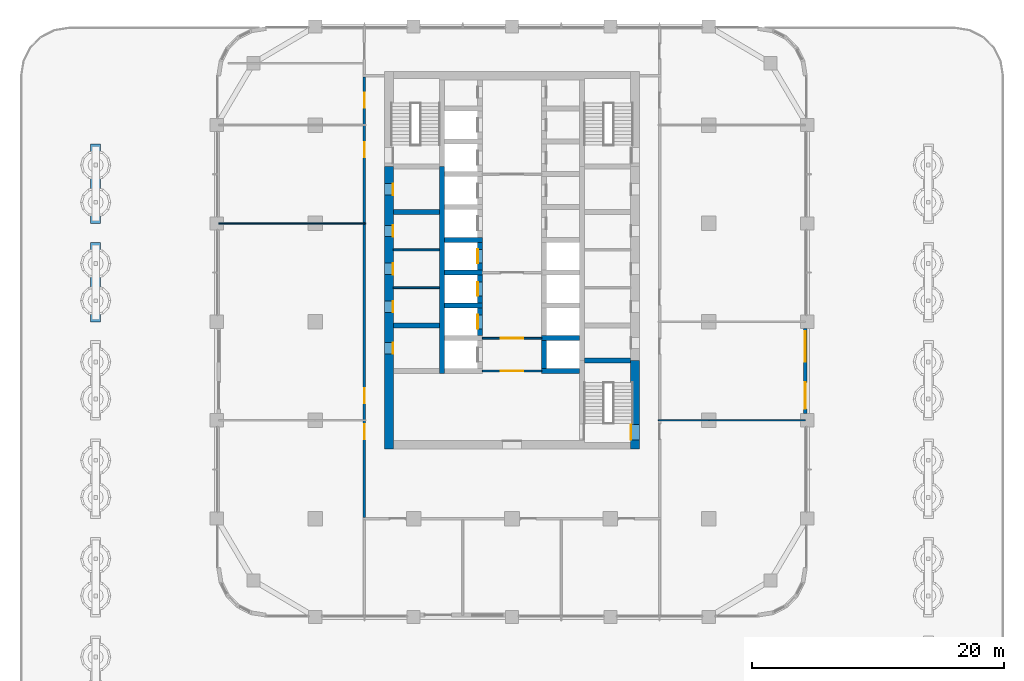
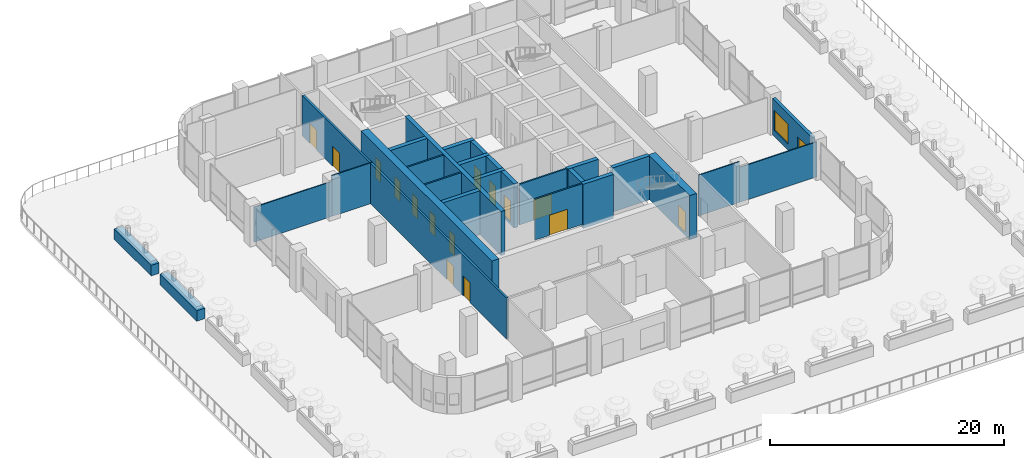
# One storey, part 13 of 31: 27 walls, 16 doors, 1 window, 17 openings.
"""IFC4 building model written with IfcOpenShell, lengths in metres."""

from ifc_helpers import new_model, si_unit, direction, frame, frame_2d, origin, place, context, subcontext, project, spatial, rectangle, extrude, material, layer, layer_set, type_object, element, fill, save


model = new_model("IFC4")

# Units and contexts
model_context = context("Model", 3, precision=1e-05, world=origin(), true_north=direction((0.0, 1.0)))
body_context = subcontext(model_context, "Body", "Model", "MODEL_VIEW")
ifc_project = project(units=[si_unit("LENGTHUNIT", "METRE"), si_unit("AREAUNIT", "SQUARE_METRE"), si_unit("VOLUMEUNIT", "CUBIC_METRE"), si_unit("PLANEANGLEUNIT", "RADIAN"), si_unit("MASSUNIT", "GRAM", prefix="KILO")], contexts=[model_context])

# Site, building, storey
site_placement = place(None, origin())
site = spatial("IfcSite", under=ifc_project, at=site_placement, CompositionType="ELEMENT")
building_placement = place(site_placement, origin())
building = spatial("IfcBuilding", under=site, at=building_placement, Name="Ludao Terraces", CompositionType="ELEMENT")
storey_placement = place(building_placement, frame((0.0, 0.0, 15.0)))
storey = spatial("IfcBuildingStorey", under=building, at=storey_placement, Name="L03", CompositionType="ELEMENT", Elevation=15.0)

# Wall, openings, doors
ifc_material_1 = material(Name="Concrete C70", Category="concrete")
ifc_layer_1 = layer(ifc_material_1, 0.699951171875)
ifc_layer_set_1 = layer_set([ifc_layer_1], Name="Core wall 700 C70")
wall_type_1 = type_object("IfcWallType", Name="Core wall 700 C70", PredefinedType="SOLIDWALL", material=ifc_layer_set_1)
wall_1_placement = place(storey_placement, frame((75.25, 54.89990234375, -0.35009765625), z_axis=(0.0, 0.0, 1.0), x_axis=(0.0, 1.0, 0.0)))
wall_1 = element("IfcWall", 1, at=wall_1_placement, inside=storey, type_object=wall_type_1, Name="Core wall L03 outer-W", PredefinedType="SOLIDWALL", context=body_context, shape_type="SweptSolid", body=[
    extrude(rectangle(XDim=22.400146484375, YDim=0.699951171875, at=frame_2d((11.2001953125, 0.0))), origin(), (0.0, 0.0, 1.0), 4.60009765625),
])
opening_1_placement = place(wall_1_placement, frame((7.550048828125, 0.0, 0.35009765625)))
opening_1 = element("IfcOpeningElement", 2, at=opening_1_placement, cuts=wall_1, Name="Opening A1-012", PredefinedType="OPENING", context=body_context, shape_type="SweptSolid", body=[
    extrude(rectangle(XDim=0.89990234375, YDim=2.10009765625, at=frame_2d((0.449951171875, 1.050048828125))), frame((0.0, 0.35986328125, 0.0), z_axis=(0.0, -1.0, 0.0), x_axis=(1.0, 0.0, 0.0)), (0.0, 0.0, 1.0), 0.719970703125),
])
opening_2_placement = place(wall_1_placement, frame((10.85009765625, 0.0, 0.35009765625)))
opening_2 = element("IfcOpeningElement", 3, at=opening_2_placement, cuts=wall_1, Name="Opening A1-017", PredefinedType="OPENING", context=body_context, shape_type="SweptSolid", body=[
    extrude(rectangle(XDim=0.89990234375, YDim=2.10009765625, at=frame_2d((0.449951171875, 1.050048828125))), frame((0.0, 0.35986328125, 0.0), z_axis=(0.0, -1.0, 0.0), x_axis=(1.0, 0.0, 0.0)), (0.0, 0.0, 1.0), 0.719970703125),
])
opening_3_placement = place(wall_1_placement, frame((13.85009765625, 0.0, 0.35009765625)))
opening_3 = element("IfcOpeningElement", 4, at=opening_3_placement, cuts=wall_1, Name="Opening A1-022", PredefinedType="OPENING", context=body_context, shape_type="SweptSolid", body=[
    extrude(rectangle(XDim=0.89990234375, YDim=2.10009765625, at=frame_2d((0.449951171875, 1.050048828125))), frame((0.0, 0.35986328125, 0.0), z_axis=(0.0, -1.0, 0.0), x_axis=(1.0, 0.0, 0.0)), (0.0, 0.0, 1.0), 0.719970703125),
])
opening_4_placement = place(wall_1_placement, frame((16.85009765625, 0.0, 0.35009765625)))
opening_4 = element("IfcOpeningElement", 5, at=opening_4_placement, cuts=wall_1, Name="Opening A1-025", PredefinedType="OPENING", context=body_context, shape_type="SweptSolid", body=[
    extrude(rectangle(XDim=0.89990234375, YDim=2.10009765625, at=frame_2d((0.449951171875, 1.050048828125))), frame((0.0, 0.35986328125, 0.0), z_axis=(0.0, -1.0, 0.0), x_axis=(1.0, 0.0, 0.0)), (0.0, 0.0, 1.0), 0.719970703125),
])
opening_5_placement = place(wall_1_placement, frame((20.14990234375, 0.0, 0.35009765625)))
opening_5 = element("IfcOpeningElement", 6, at=opening_5_placement, cuts=wall_1, Name="Opening A1-031", PredefinedType="OPENING", context=body_context, shape_type="SweptSolid", body=[
    extrude(rectangle(XDim=0.89990234375, YDim=2.10009765625, at=frame_2d((0.449951171875, 1.050048828125))), frame((0.0, 0.35986328125, 0.0), z_axis=(0.0, -1.0, 0.0), x_axis=(1.0, 0.0, 0.0)), (0.0, 0.0, 1.0), 0.719970703125),
])
ifc_material_2 = material(Name="Steel Q235", Category="steel")
door_type_1 = type_object("IfcDoorType", Name="INT Riser door 900", OperationType="SINGLE_SWING_LEFT", PredefinedType="DOOR", material=ifc_material_2)
door_1_placement = place(opening_1_placement, origin())
door_1 = element("IfcDoor", 7, at=door_1_placement, inside=storey, type_object=door_type_1, Name="DOOR 012", OperationType="SINGLE_SWING_LEFT", OverallHeight=2.10009765625, OverallWidth=0.89990234375, PredefinedType="DOOR", context=body_context, shape_type="SweptSolid", body=[
    extrude(rectangle(XDim=0.89990234375, YDim=2.10009765625, at=frame_2d((0.449951171875, 1.050048828125))), frame((0.0, -0.28515625, 0.0), z_axis=(0.0, -1.0, 0.0), x_axis=(1.0, 0.0, 0.0)), (0.0, 0.0, 1.0), 0.050048828125),
])
fill(opening_1, door_1)
door_2_placement = place(opening_5_placement, origin())
door_2 = element("IfcDoor", 8, at=door_2_placement, inside=storey, type_object=door_type_1, Name="DOOR 031", OperationType="SINGLE_SWING_RIGHT", OverallHeight=2.10009765625, OverallWidth=0.89990234375, PredefinedType="DOOR", context=body_context, shape_type="SweptSolid", body=[
    extrude(rectangle(XDim=0.89990234375, YDim=2.10009765625, at=frame_2d((0.449951171875, 1.050048828125))), frame((0.0, -0.28515625, 0.0), z_axis=(0.0, -1.0, 0.0), x_axis=(1.0, 0.0, 0.0)), (0.0, 0.0, 1.0), 0.050048828125),
])
fill(opening_5, door_2)
ifc_material_3 = material(Name="Timber door leaf", Category="wood")
door_type_2 = type_object("IfcDoorType", Name="INT Room door 900", OperationType="SINGLE_SWING_LEFT", PredefinedType="DOOR", material=ifc_material_3)
door_3_placement = place(opening_2_placement, origin())
door_3 = element("IfcDoor", 9, at=door_3_placement, inside=storey, type_object=door_type_2, Name="DOOR 017", OperationType="SINGLE_SWING_RIGHT", OverallHeight=2.10009765625, OverallWidth=0.89990234375, PredefinedType="DOOR", context=body_context, shape_type="SweptSolid", body=[
    extrude(rectangle(XDim=0.89990234375, YDim=2.10009765625, at=frame_2d((0.449951171875, 1.050048828125))), frame((0.0, -0.28515625, 0.0), z_axis=(0.0, -1.0, 0.0), x_axis=(1.0, 0.0, 0.0)), (0.0, 0.0, 1.0), 0.050048828125),
])
fill(opening_2, door_3)
door_4_placement = place(opening_3_placement, origin())
door_4 = element("IfcDoor", 10, at=door_4_placement, inside=storey, type_object=door_type_2, Name="DOOR 022", OperationType="SINGLE_SWING_RIGHT", OverallHeight=2.10009765625, OverallWidth=0.89990234375, PredefinedType="DOOR", context=body_context, shape_type="SweptSolid", body=[
    extrude(rectangle(XDim=0.89990234375, YDim=2.10009765625, at=frame_2d((0.449951171875, 1.050048828125))), frame((0.0, -0.28515625, 0.0), z_axis=(0.0, -1.0, 0.0), x_axis=(1.0, 0.0, 0.0)), (0.0, 0.0, 1.0), 0.050048828125),
])
fill(opening_3, door_4)
door_5_placement = place(opening_4_placement, origin())
door_5 = element("IfcDoor", 11, at=door_5_placement, inside=storey, type_object=door_type_2, Name="DOOR 025", OperationType="SINGLE_SWING_LEFT", OverallHeight=2.10009765625, OverallWidth=0.89990234375, PredefinedType="DOOR", context=body_context, shape_type="SweptSolid", body=[
    extrude(rectangle(XDim=0.89990234375, YDim=2.10009765625, at=frame_2d((0.449951171875, 1.050048828125))), frame((0.0, -0.28515625, 0.0), z_axis=(0.0, -1.0, 0.0), x_axis=(1.0, 0.0, 0.0)), (0.0, 0.0, 1.0), 0.050048828125),
])
fill(opening_4, door_5)

# Wall, opening, door
wall_2_placement = place(storey_placement, frame((94.75, 54.89990234375, -0.35009765625), z_axis=(0.0, 0.0, 1.0), x_axis=(0.0, 1.0, 0.0)))
wall_2 = element("IfcWall", 12, at=wall_2_placement, inside=storey, type_object=wall_type_1, Name="Core wall L03 outer-E-S3", PredefinedType="SOLIDWALL", context=body_context, shape_type="SweptSolid", body=[
    extrude(rectangle(XDim=7.050048828125, YDim=0.699951171875, at=frame_2d((3.52490234375, 0.0))), origin(), (0.0, 0.0, 1.0), 4.60009765625),
])
opening_6_placement = place(wall_2_placement, frame((0.75, 0.0, 0.35009765625)))
opening_6 = element("IfcOpeningElement", 13, at=opening_6_placement, cuts=wall_2, Name="Opening A1-006", PredefinedType="OPENING", context=body_context, shape_type="SweptSolid", body=[
    extrude(rectangle(XDim=1.199951171875, YDim=2.10009765625, at=frame_2d((0.60009765625, 1.050048828125))), frame((0.0, 0.35986328125, 0.0), z_axis=(0.0, -1.0, 0.0), x_axis=(1.0, 0.0, 0.0)), (0.0, 0.0, 1.0), 0.719970703125),
])
door_type_3 = type_object("IfcDoorType", Name="INT Stair door 1200", OperationType="DOUBLE_DOOR_SINGLE_SWING", PredefinedType="DOOR", material=ifc_material_2)
door_6_placement = place(opening_6_placement, origin())
door_6 = element("IfcDoor", 14, at=door_6_placement, inside=storey, type_object=door_type_3, Name="DOOR 006", OperationType="DOUBLE_DOOR_SINGLE_SWING", OverallHeight=2.10009765625, OverallWidth=1.199951171875, PredefinedType="DOOR", context=body_context, shape_type="SweptSolid", body=[
    extrude(rectangle(XDim=1.199951171875, YDim=2.10009765625, at=frame_2d((0.60009765625, 1.050048828125))), frame((0.0, 0.3349609375, 0.0), z_axis=(0.0, -1.0, 0.0), x_axis=(1.0, 0.0, 0.0)), (0.0, 0.0, 1.0), 0.050048828125),
])
fill(opening_6, door_6)

# Wall, openings, door, window
ifc_material_4 = material(Name="Granite cladding", Category="masonry")
ifc_layer_2 = layer(ifc_material_4, 0.0400390625, Category="stone")
ifc_material_5 = material(Name="Mineral wool")
ifc_layer_3 = layer(ifc_material_5, 0.06005859375)
ifc_material_6 = material(Name="Concrete C40", Category="concrete")
ifc_layer_4 = layer(ifc_material_6, 0.199951171875, Category="concrete")
ifc_layer_set_2 = layer_set([ifc_layer_2, ifc_layer_3, ifc_layer_4], Name="ENV Stone-clad wall 300")
wall_type_2 = type_object("IfcWallType", Name="ENV Stone-clad wall 300", PredefinedType="SOLIDWALL", material=ifc_layer_set_2)
wall_3_placement = place(storey_placement, frame((108.25, 57.72509765625, 0.0), z_axis=(0.0, 0.0, 1.0), x_axis=(0.0, 1.0, 0.0)))
wall_3 = element("IfcWall", 15, at=wall_3_placement, inside=storey, type_object=wall_type_2, Name="EW-L03-E3", PredefinedType="SOLIDWALL", context=body_context, shape_type="SweptSolid", body=[
    extrude(rectangle(XDim=6.75, YDim=0.300048828125, at=frame_2d((3.375, 0.0))), origin(), (0.0, 0.0, 1.0), 3.800048828125),
])
opening_7_placement = place(wall_3_placement, frame((0.375, 0.0, 0.0)))
opening_7 = element("IfcOpeningElement", 16, at=opening_7_placement, cuts=wall_3, Name="Opening TD", PredefinedType="OPENING", context=body_context, shape_type="SweptSolid", body=[
    extrude(rectangle(XDim=2.10009765625, YDim=2.39990234375, at=frame_2d((1.050048828125, 1.199951171875))), frame((0.0, 0.16015625, 0.0), z_axis=(0.0, -1.0, 0.0), x_axis=(1.0, 0.0, 0.0)), (0.0, 0.0, 1.0), 0.320068359375),
])
opening_8_placement = place(wall_3_placement, frame((4.125, 0.0, 0.60009765625)))
opening_8 = element("IfcOpeningElement", 17, at=opening_8_placement, cuts=wall_3, Name="Opening W4", PredefinedType="OPENING", context=body_context, shape_type="SweptSolid", body=[
    extrude(rectangle(XDim=2.39990234375, YDim=2.10009765625, at=frame_2d((1.199951171875, 1.050048828125))), frame((0.0, 0.16015625, 0.0), z_axis=(0.0, -1.0, 0.0), x_axis=(1.0, 0.0, 0.0)), (0.0, 0.0, 1.0), 0.320068359375),
])
ifc_material_7 = material(Name="Aluminium glazed door", Category="aluminium")
ifc_layer_5 = layer(ifc_material_7, 0.06005859375)
ifc_layer_set_3 = layer_set([ifc_layer_5], Name="ENV Terrace door TD 2100x2400")
door_type_4 = type_object("IfcDoorType", Name="ENV Terrace door TD 2100x2400", OperationType="DOUBLE_DOOR_SINGLE_SWING", PredefinedType="DOOR", material=ifc_layer_set_3)
door_7_placement = place(opening_7_placement, frame((2.10009765625, 0.0, 0.0), z_axis=(0.0, 0.0, 1.0), x_axis=(-1.0, 0.0, 0.0)))
door_7 = element("IfcDoor", 18, at=door_7_placement, inside=storey, type_object=door_type_4, Name="BD-L03-E3-1", OperationType="DOUBLE_DOOR_SINGLE_SWING", OverallHeight=2.39990234375, OverallWidth=2.10009765625, PredefinedType="DOOR", context=body_context, shape_type="SweptSolid", body=[
    extrude(rectangle(XDim=2.10009765625, YDim=2.39990234375, at=frame_2d((1.050048828125, 1.199951171875))), frame((0.0, 0.02490234375, 0.0), z_axis=(0.0, -1.0, 0.0), x_axis=(1.0, 0.0, 0.0)), (0.0, 0.0, 1.0), 0.050048828125),
])
fill(opening_7, door_7)
ifc_material_8 = material(Name="Clear glass in aluminium frame", Category="aluminium")
ifc_layer_6 = layer(ifc_material_8, 0.06005859375)
ifc_layer_set_4 = layer_set([ifc_layer_6], Name="ENV Window W4 2400x2100")
window_type = type_object("IfcWindowType", Name="ENV Window W4 2400x2100", PartitioningType="SINGLE_PANEL", PredefinedType="WINDOW", material=ifc_layer_set_4)
window_placement = place(opening_8_placement, origin())
window = element("IfcWindow", 19, at=window_placement, inside=storey, type_object=window_type, Name="W-L03-E3-2", OverallHeight=2.10009765625, OverallWidth=2.39990234375, PartitioningType="SINGLE_PANEL", PredefinedType="WINDOW", context=body_context, shape_type="SweptSolid", body=[
    extrude(rectangle(XDim=2.39990234375, YDim=2.10009765625, at=frame_2d((1.199951171875, 1.050048828125))), frame((0.0, 0.030029296875, 0.0), z_axis=(0.0, -1.0, 0.0), x_axis=(1.0, 0.0, 0.0)), (0.0, 0.0, 1.0), 0.06005859375),
])
fill(opening_8, window)

# Walls
ifc_layer_7 = layer(ifc_material_6, 0.800048828125)
ifc_layer_set_5 = layer_set([ifc_layer_7], Name="ENV Terrace planter 800")
wall_type_3 = type_object("IfcWallType", Name="ENV Terrace planter 800", PredefinedType="USERDEFINED", material=ifc_layer_set_5)
for number, where, z_axis, x_axis, name in (
    (20, (52.0, 65.0, 0.0), (0.0, 0.0, 1.0), (0.0, 1.0, 0.0), "PL-L03-T13"),
    (21, (52.0, 72.800048828125, 0.0), (0.0, 0.0, 1.0), (0.0, 1.0, 0.0), "PL-L03-T14"),
):
    element("IfcWall", number, at=place(storey_placement, frame(where, z_axis=z_axis, x_axis=x_axis)), inside=storey, type_object=wall_type_3, Name=name, ObjectType="PLANTER", PredefinedType="USERDEFINED", context=body_context, shape_type="SweptSolid", body=[
        extrude(rectangle(XDim=6.300048828125, YDim=0.800048828125, at=frame_2d((3.14990234375, 0.0))), origin(), (0.0, 0.0, 1.0), 1.10009765625),
    ])

# Wall, opening, door
ifc_material_9 = material(Name="Fire-rated gypsum plasterboard", Category="gypsum")
ifc_layer_8 = layer(ifc_material_9, 0.012451171875, Category="gypsum")
ifc_layer_9 = layer(ifc_material_5, 0.10009765625, Name="insulation")
ifc_layer_10 = layer(ifc_material_2, 0.02490234375, Name="stud")
ifc_layer_11 = layer(ifc_material_9, 0.012451171875, Category="gypsum")
ifc_layer_set_6 = layer_set([ifc_layer_8, ifc_layer_9, ifc_layer_10, ifc_layer_11], Name="INT Core partition 150")
wall_type_4 = type_object("IfcWallType", Name="INT Core partition 150", PredefinedType="PARTITIONING", material=ifc_layer_set_6)
wall_4_placement = place(storey_placement, frame((82.650146484375, 61.10009765625, 0.0), z_axis=(0.0, 0.0, 1.0), x_axis=(1.0, 0.0, 0.0)))
wall_4 = element("IfcWall", 22, at=wall_4_placement, inside=storey, type_object=wall_type_4, Name="PW-L03-PW003", PredefinedType="PARTITIONING", context=body_context, shape_type="SweptSolid", body=[
    extrude(rectangle(XDim=4.699951171875, YDim=0.14990234375, at=frame_2d((2.35009765625, 0.0))), origin(), (0.0, 0.0, 1.0), 4.25),
])
opening_9_placement = place(wall_4_placement, frame((1.449951171875, 0.0, 0.0)))
opening_9 = element("IfcOpeningElement", 23, at=opening_9_placement, cuts=wall_4, Name="Opening A1-010", PredefinedType="OPENING", context=body_context, shape_type="SweptSolid", body=[
    extrude(rectangle(XDim=1.800048828125, YDim=2.10009765625, at=frame_2d((0.89990234375, 1.050048828125))), frame((0.0, 0.0849609375, 0.0), z_axis=(0.0, -1.0, 0.0), x_axis=(1.0, 0.0, 0.0)), (0.0, 0.0, 1.0), 0.169921875),
])
door_type_5 = type_object("IfcDoorType", Name="INT Fire lobby door 1800", OperationType="DOUBLE_DOOR_SINGLE_SWING", PredefinedType="DOOR", material=ifc_material_2)
door_8_placement = place(opening_9_placement, origin())
door_8 = element("IfcDoor", 24, at=door_8_placement, inside=storey, type_object=door_type_5, Name="DOOR 010", OperationType="DOUBLE_DOOR_SINGLE_SWING", OverallHeight=2.10009765625, OverallWidth=1.800048828125, PredefinedType="DOOR", context=body_context, shape_type="SweptSolid", body=[
    extrude(rectangle(XDim=1.800048828125, YDim=2.10009765625, at=frame_2d((0.89990234375, 1.050048828125))), frame((0.0, 0.02490234375, 0.0), z_axis=(0.0, -1.0, 0.0), x_axis=(1.0, 0.0, 0.0)), (0.0, 0.0, 1.0), 0.050048828125),
])
fill(opening_9, door_8)

wall_5_placement = place(storey_placement, frame((82.650146484375, 63.699951171875, 0.0), z_axis=(0.0, 0.0, 1.0), x_axis=(1.0, 0.0, 0.0)))
wall_5 = element("IfcWall", 25, at=wall_5_placement, inside=storey, type_object=wall_type_4, Name="PW-L03-PW004", PredefinedType="PARTITIONING", context=body_context, shape_type="SweptSolid", body=[
    extrude(rectangle(XDim=4.699951171875, YDim=0.14990234375, at=frame_2d((2.35009765625, 0.0))), origin(), (0.0, 0.0, 1.0), 4.25),
])
opening_10_placement = place(wall_5_placement, frame((1.449951171875, 0.0, 0.0)))
opening_10 = element("IfcOpeningElement", 26, at=opening_10_placement, cuts=wall_5, Name="Opening A1-015", PredefinedType="OPENING", context=body_context, shape_type="SweptSolid", body=[
    extrude(rectangle(XDim=1.800048828125, YDim=2.10009765625, at=frame_2d((0.89990234375, 1.050048828125))), frame((0.0, 0.0849609375, 0.0), z_axis=(0.0, -1.0, 0.0), x_axis=(1.0, 0.0, 0.0)), (0.0, 0.0, 1.0), 0.169921875),
])
door_9_placement = place(opening_10_placement, origin())
door_9 = element("IfcDoor", 27, at=door_9_placement, inside=storey, type_object=door_type_5, Name="DOOR 015", OperationType="DOUBLE_DOOR_SINGLE_SWING", OverallHeight=2.10009765625, OverallWidth=1.800048828125, PredefinedType="DOOR", context=body_context, shape_type="SweptSolid", body=[
    extrude(rectangle(XDim=1.800048828125, YDim=2.10009765625, at=frame_2d((0.89990234375, 1.050048828125))), frame((0.0, 0.02490234375, 0.0), z_axis=(0.0, -1.0, 0.0), x_axis=(1.0, 0.0, 0.0)), (0.0, 0.0, 1.0), 0.050048828125),
])
fill(opening_10, door_9)

# Walls
for number, where, z_axis, x_axis, name in (
    (28, (75.60009765625, 67.699951171875, 0.0), (0.0, 0.0, 1.0), (1.0, 0.0, 0.0), "PW-L03-PW006"),
    (29, (75.60009765625, 70.699951171875, 0.0), (0.0, 0.0, 1.0), (1.0, 0.0, 0.0), "PW-L03-PW009"),
):
    element("IfcWall", number, at=place(storey_placement, frame(where, z_axis=z_axis, x_axis=x_axis)), inside=storey, type_object=wall_type_4, Name=name, PredefinedType="PARTITIONING", context=body_context, shape_type="SweptSolid", body=[
        extrude(rectangle(XDim=3.64990234375, YDim=0.14990234375, at=frame_2d((1.824951171875, 0.0))), origin(), (0.0, 0.0, 1.0), 4.25),
    ])

# Wall, openings, doors
ifc_material_10 = material(Name="Autoclaved aerated concrete block B06 A3.5", Category="concrete")
ifc_layer_12 = layer(ifc_material_10, 0.199951171875)
ifc_layer_set_7 = layer_set([ifc_layer_12], Name="INT Entrance wall 200")
wall_type_5 = type_object("IfcWallType", Name="INT Entrance wall 200", PredefinedType="PARTITIONING", material=ifc_layer_set_7)
wall_6_placement = place(storey_placement, frame((73.300048828125, 49.5, 0.0), z_axis=(0.0, 0.0, 1.0), x_axis=(0.0, 1.0, 0.0)))
wall_6 = element("IfcWall", 30, at=wall_6_placement, inside=storey, type_object=wall_type_5, Name="PW-L03-PW019", PredefinedType="PARTITIONING", context=body_context, shape_type="SweptSolid", body=[
    extrude(rectangle(XDim=34.900146484375, YDim=0.199951171875, at=frame_2d((17.4501953125, 0.0))), origin(), (0.0, 0.0, 1.0), 4.25),
])
opening_11_placement = place(wall_6_placement, frame((6.2001953125, 0.0, 0.0)))
opening_11 = element("IfcOpeningElement", 31, at=opening_11_placement, cuts=wall_6, Name="Opening A1-007", PredefinedType="OPENING", context=body_context, shape_type="SweptSolid", body=[
    extrude(rectangle(XDim=1.199951171875, YDim=2.10009765625, at=frame_2d((0.60009765625, 1.050048828125))), frame((0.0, 0.10986328125, 0.0), z_axis=(0.0, -1.0, 0.0), x_axis=(1.0, 0.0, 0.0)), (0.0, 0.0, 1.0), 0.219970703125),
])
opening_12_placement = place(wall_6_placement, frame((9.050048828125, 0.0, 0.0)))
opening_12 = element("IfcOpeningElement", 32, at=opening_12_placement, cuts=wall_6, Name="Opening A1-009", PredefinedType="OPENING", context=body_context, shape_type="SweptSolid", body=[
    extrude(rectangle(XDim=1.199951171875, YDim=2.10009765625, at=frame_2d((0.60009765625, 1.050048828125))), frame((0.0, 0.10986328125, 0.0), z_axis=(0.0, -1.0, 0.0), x_axis=(1.0, 0.0, 0.0)), (0.0, 0.0, 1.0), 0.219970703125),
])
opening_13_placement = place(wall_6_placement, frame((28.550048828125, 0.0, 0.0)))
opening_13 = element("IfcOpeningElement", 33, at=opening_13_placement, cuts=wall_6, Name="Opening A1-038", PredefinedType="OPENING", context=body_context, shape_type="SweptSolid", body=[
    extrude(rectangle(XDim=1.199951171875, YDim=2.10009765625, at=frame_2d((0.60009765625, 1.050048828125))), frame((0.0, 0.10986328125, 0.0), z_axis=(0.0, -1.0, 0.0), x_axis=(1.0, 0.0, 0.0)), (0.0, 0.0, 1.0), 0.219970703125),
])
opening_14_placement = place(wall_6_placement, frame((32.4501953125, 0.0, 0.0)))
opening_14 = element("IfcOpeningElement", 34, at=opening_14_placement, cuts=wall_6, Name="Opening A1-041", PredefinedType="OPENING", context=body_context, shape_type="SweptSolid", body=[
    extrude(rectangle(XDim=1.199951171875, YDim=2.10009765625, at=frame_2d((0.60009765625, 1.050048828125))), frame((0.0, 0.10986328125, 0.0), z_axis=(0.0, -1.0, 0.0), x_axis=(1.0, 0.0, 0.0)), (0.0, 0.0, 1.0), 0.219970703125),
])
door_type_6 = type_object("IfcDoorType", Name="INT Double door 1200", OperationType="DOUBLE_DOOR_SINGLE_SWING", PredefinedType="DOOR", material=ifc_material_3)
door_10_placement = place(opening_11_placement, origin())
door_10 = element("IfcDoor", 35, at=door_10_placement, inside=storey, type_object=door_type_6, Name="DOOR 007", OperationType="DOUBLE_DOOR_SINGLE_SWING", OverallHeight=2.10009765625, OverallWidth=1.199951171875, PredefinedType="DOOR", context=body_context, shape_type="SweptSolid", body=[
    extrude(rectangle(XDim=1.199951171875, YDim=2.10009765625, at=frame_2d((0.60009765625, 1.050048828125))), frame((0.0, 0.02490234375, 0.0), z_axis=(0.0, -1.0, 0.0), x_axis=(1.0, 0.0, 0.0)), (0.0, 0.0, 1.0), 0.050048828125),
])
fill(opening_11, door_10)
door_11_placement = place(opening_12_placement, origin())
door_11 = element("IfcDoor", 36, at=door_11_placement, inside=storey, type_object=door_type_6, Name="DOOR 009", OperationType="DOUBLE_DOOR_SINGLE_SWING", OverallHeight=2.10009765625, OverallWidth=1.199951171875, PredefinedType="DOOR", context=body_context, shape_type="SweptSolid", body=[
    extrude(rectangle(XDim=1.199951171875, YDim=2.10009765625, at=frame_2d((0.60009765625, 1.050048828125))), frame((0.0, 0.02490234375, 0.0), z_axis=(0.0, -1.0, 0.0), x_axis=(1.0, 0.0, 0.0)), (0.0, 0.0, 1.0), 0.050048828125),
])
fill(opening_12, door_11)
door_12_placement = place(opening_13_placement, origin())
door_12 = element("IfcDoor", 37, at=door_12_placement, inside=storey, type_object=door_type_6, Name="DOOR 038", OperationType="DOUBLE_DOOR_SINGLE_SWING", OverallHeight=2.10009765625, OverallWidth=1.199951171875, PredefinedType="DOOR", context=body_context, shape_type="SweptSolid", body=[
    extrude(rectangle(XDim=1.199951171875, YDim=2.10009765625, at=frame_2d((0.60009765625, 1.050048828125))), frame((0.0, 0.02490234375, 0.0), z_axis=(0.0, -1.0, 0.0), x_axis=(1.0, 0.0, 0.0)), (0.0, 0.0, 1.0), 0.050048828125),
])
fill(opening_13, door_12)
door_13_placement = place(opening_14_placement, origin())
door_13 = element("IfcDoor", 38, at=door_13_placement, inside=storey, type_object=door_type_6, Name="DOOR 041", OperationType="DOUBLE_DOOR_SINGLE_SWING", OverallHeight=2.10009765625, OverallWidth=1.199951171875, PredefinedType="DOOR", context=body_context, shape_type="SweptSolid", body=[
    extrude(rectangle(XDim=1.199951171875, YDim=2.10009765625, at=frame_2d((0.60009765625, 1.050048828125))), frame((0.0, 0.02490234375, 0.0), z_axis=(0.0, -1.0, 0.0), x_axis=(1.0, 0.0, 0.0)), (0.0, 0.0, 1.0), 0.050048828125),
])
fill(opening_14, door_13)

# Walls
ifc_material_11 = material(Name="Gypsum plasterboard", Category="gypsum")
ifc_layer_13 = layer(ifc_material_11, 0.012451171875, Category="gypsum")
ifc_layer_14 = layer(ifc_material_5, 0.06005859375, Name="insulation")
ifc_layer_15 = layer(ifc_material_2, 0.014892578125, Name="stud")
ifc_layer_16 = layer(ifc_material_11, 0.012451171875, Category="gypsum")
ifc_layer_set_8 = layer_set([ifc_layer_13, ifc_layer_14, ifc_layer_15, ifc_layer_16], Name="INT Partition 100")
wall_type_6 = type_object("IfcWallType", Name="INT Partition 100", PredefinedType="PARTITIONING", material=ifc_layer_set_8)
wall_7_placement = place(storey_placement, frame((96.60009765625, 57.199951171875, 0.0), z_axis=(0.0, 0.0, 1.0), x_axis=(1.0, 0.0, 0.0)))
element("IfcWall", 39, at=wall_7_placement, inside=storey, type_object=wall_type_6, Name="PW-L03-PW002", PredefinedType="PARTITIONING", context=body_context, shape_type="SweptSolid", body=[
    extrude(rectangle(XDim=4.0, YDim=0.10009765625, at=frame_2d((2.0, 0.0))), origin(), (0.0, 0.0, 1.0), 4.25),
])
for number, where, z_axis, x_axis, name in (
    (40, (100.60009765625, 57.199951171875, 0.0), (0.0, 0.0, 1.0), (1.0, 0.0, 0.0), "PW-L03-PW002-2"),
    (41, (61.735107421875, 72.800048828125, 0.0), (0.0, 0.0, 1.0), (1.0, 0.0, 0.0), "PW-L03-PW011"),
):
    element("IfcWall", number, at=place(storey_placement, frame(where, z_axis=z_axis, x_axis=x_axis)), inside=storey, type_object=wall_type_6, Name=name, PredefinedType="PARTITIONING", context=body_context, shape_type="SweptSolid", body=[
        extrude(rectangle(XDim=7.664794921875, YDim=0.10009765625, at=frame_2d((3.83251953125, 0.0))), origin(), (0.0, 0.0, 1.0), 3.64990234375),
    ])
wall_8_placement = place(storey_placement, frame((69.39990234375, 72.800048828125, 0.0), z_axis=(0.0, 0.0, 1.0), x_axis=(1.0, 0.0, 0.0)))
element("IfcWall", 42, at=wall_8_placement, inside=storey, type_object=wall_type_6, Name="PW-L03-PW011-2", PredefinedType="PARTITIONING", context=body_context, shape_type="SweptSolid", body=[
    extrude(rectangle(XDim=4.000244140625, YDim=0.10009765625, at=frame_2d((2.0, 0.0))), origin(), (0.0, 0.0, 1.0), 4.25),
])
ifc_material_12 = material(Name="Concrete C60", Category="concrete")
ifc_layer_17 = layer(ifc_material_12, 0.39990234375)
ifc_layer_set_9 = layer_set([ifc_layer_17], Name="Shaft wall 400 C60")
wall_type_7 = type_object("IfcWallType", Name="Shaft wall 400 C60", PredefinedType="SOLIDWALL", material=ifc_layer_set_9)
wall_9_placement = place(storey_placement, frame((79.449951171875, 60.89990234375, -0.35009765625), z_axis=(0.0, 0.0, 1.0), x_axis=(0.0, 1.0, 0.0)))
element("IfcWall", 43, at=wall_9_placement, inside=storey, type_object=wall_type_7, Name="Core wall L03 back-W", PredefinedType="SOLIDWALL", context=body_context, shape_type="SweptSolid", body=[
    extrude(rectangle(XDim=16.400146484375, YDim=0.39990234375, at=frame_2d((8.2001953125, 0.0))), origin(), (0.0, 0.0, 1.0), 4.60009765625),
])

# Wall, opening, door
wall_10_placement = place(storey_placement, frame((82.449951171875, 63.89990234375, -0.35009765625), z_axis=(0.0, 0.0, 1.0), x_axis=(0.0, 1.0, 0.0)))
wall_10 = element("IfcWall", 44, at=wall_10_placement, inside=storey, type_object=wall_type_7, Name="Core wall L03 front-W2", PredefinedType="SOLIDWALL", context=body_context, shape_type="SweptSolid", body=[
    extrude(rectangle(XDim=2.2001953125, YDim=0.39990234375, at=frame_2d((1.10009765625, 0.0))), origin(), (0.0, 0.0, 1.0), 4.60009765625),
])
opening_15_placement = place(wall_10_placement, frame((0.550048828125, 0.0, 0.35009765625)))
opening_15 = element("IfcOpeningElement", 45, at=opening_15_placement, cuts=wall_10, Name="Opening LD-LA2", PredefinedType="OPENING", context=body_context, shape_type="SweptSolid", body=[
    extrude(rectangle(XDim=1.10009765625, YDim=2.10009765625, at=frame_2d((0.550048828125, 1.050048828125))), frame((0.0, 0.2099609375, 0.0), z_axis=(0.0, -1.0, 0.0), x_axis=(1.0, 0.0, 0.0)), (0.0, 0.0, 1.0), 0.419921875),
])
ifc_material_13 = material(Name="Stainless steel 304", Category="steel")
door_type_7 = type_object("IfcDoorType", Name="INT Lift landing door 1100", OperationType="SLIDING_TO_LEFT", PredefinedType="DOOR", material=ifc_material_13)
door_14_placement = place(opening_15_placement, origin())
door_14 = element("IfcDoor", 46, at=door_14_placement, inside=storey, type_object=door_type_7, Name="LANDING DOOR LA2 L03", OperationType="SLIDING_TO_RIGHT", OverallHeight=2.10009765625, OverallWidth=1.10009765625, PredefinedType="DOOR", context=body_context, shape_type="SweptSolid", body=[
    extrude(rectangle(XDim=1.10009765625, YDim=2.10009765625, at=frame_2d((0.550048828125, 1.050048828125))), frame((0.0, 0.18505859375, 0.0), z_axis=(0.0, -1.0, 0.0), x_axis=(1.0, 0.0, 0.0)), (0.0, 0.0, 1.0), 0.050048828125),
])
fill(opening_15, door_14)

# Wall
wall_11_placement = place(storey_placement, frame((79.64990234375, 66.300048828125, -0.35009765625), z_axis=(0.0, 0.0, 1.0), x_axis=(1.0, 0.0, 0.0)))
element("IfcWall", 47, at=wall_11_placement, inside=storey, type_object=wall_type_7, Name="Core wall L03 div-W3", PredefinedType="SOLIDWALL", context=body_context, shape_type="SweptSolid", body=[
    extrude(rectangle(XDim=3.0, YDim=0.39990234375, at=frame_2d((1.5, 0.0))), origin(), (0.0, 0.0, 1.0), 4.60009765625),
])

# Wall, opening, door
wall_12_placement = place(storey_placement, frame((82.449951171875, 66.5, -0.35009765625), z_axis=(0.0, 0.0, 1.0), x_axis=(0.0, 1.0, 0.0)))
wall_12 = element("IfcWall", 48, at=wall_12_placement, inside=storey, type_object=wall_type_7, Name="Core wall L03 front-W3", PredefinedType="SOLIDWALL", context=body_context, shape_type="SweptSolid", body=[
    extrude(rectangle(XDim=2.199951171875, YDim=0.39990234375, at=frame_2d((1.10009765625, 0.0))), origin(), (0.0, 0.0, 1.0), 4.60009765625),
])
opening_16_placement = place(wall_12_placement, frame((0.550048828125, 0.0, 0.35009765625)))
opening_16 = element("IfcOpeningElement", 49, at=opening_16_placement, cuts=wall_12, Name="Opening LD-LA3", PredefinedType="OPENING", context=body_context, shape_type="SweptSolid", body=[
    extrude(rectangle(XDim=1.10009765625, YDim=2.10009765625, at=frame_2d((0.550048828125, 1.050048828125))), frame((0.0, 0.2099609375, 0.0), z_axis=(0.0, -1.0, 0.0), x_axis=(1.0, 0.0, 0.0)), (0.0, 0.0, 1.0), 0.419921875),
])
door_15_placement = place(opening_16_placement, origin())
door_15 = element("IfcDoor", 50, at=door_15_placement, inside=storey, type_object=door_type_7, Name="LANDING DOOR LA3 L03", OperationType="SLIDING_TO_RIGHT", OverallHeight=2.10009765625, OverallWidth=1.10009765625, PredefinedType="DOOR", context=body_context, shape_type="SweptSolid", body=[
    extrude(rectangle(XDim=1.10009765625, YDim=2.10009765625, at=frame_2d((0.550048828125, 1.050048828125))), frame((0.0, 0.18505859375, 0.0), z_axis=(0.0, -1.0, 0.0), x_axis=(1.0, 0.0, 0.0)), (0.0, 0.0, 1.0), 0.050048828125),
])
fill(opening_16, door_15)

# Wall
wall_13_placement = place(storey_placement, frame((79.64990234375, 68.89990234375, -0.35009765625), z_axis=(0.0, 0.0, 1.0), x_axis=(1.0, 0.0, 0.0)))
element("IfcWall", 51, at=wall_13_placement, inside=storey, type_object=wall_type_7, Name="Core wall L03 div-W4", PredefinedType="SOLIDWALL", context=body_context, shape_type="SweptSolid", body=[
    extrude(rectangle(XDim=3.0, YDim=0.39990234375, at=frame_2d((1.5, 0.0))), origin(), (0.0, 0.0, 1.0), 4.60009765625),
])

# Wall, opening, door
wall_14_placement = place(storey_placement, frame((82.449951171875, 69.10009765625, -0.35009765625), z_axis=(0.0, 0.0, 1.0), x_axis=(0.0, 1.0, 0.0)))
wall_14 = element("IfcWall", 52, at=wall_14_placement, inside=storey, type_object=wall_type_7, Name="Core wall L03 front-W4", PredefinedType="SOLIDWALL", context=body_context, shape_type="SweptSolid", body=[
    extrude(rectangle(XDim=2.199951171875, YDim=0.39990234375, at=frame_2d((1.10009765625, 0.0))), origin(), (0.0, 0.0, 1.0), 4.60009765625),
])
opening_17_placement = place(wall_14_placement, frame((0.550048828125, 0.0, 0.35009765625)))
opening_17 = element("IfcOpeningElement", 53, at=opening_17_placement, cuts=wall_14, Name="Opening LD-LA4", PredefinedType="OPENING", context=body_context, shape_type="SweptSolid", body=[
    extrude(rectangle(XDim=1.10009765625, YDim=2.10009765625, at=frame_2d((0.550048828125, 1.050048828125))), frame((0.0, 0.2099609375, 0.0), z_axis=(0.0, -1.0, 0.0), x_axis=(1.0, 0.0, 0.0)), (0.0, 0.0, 1.0), 0.419921875),
])
door_16_placement = place(opening_17_placement, origin())
door_16 = element("IfcDoor", 54, at=door_16_placement, inside=storey, type_object=door_type_7, Name="LANDING DOOR LA4 L03", OperationType="SLIDING_TO_LEFT", OverallHeight=2.10009765625, OverallWidth=1.10009765625, PredefinedType="DOOR", context=body_context, shape_type="SweptSolid", body=[
    extrude(rectangle(XDim=1.10009765625, YDim=2.10009765625, at=frame_2d((0.550048828125, 1.050048828125))), frame((0.0, 0.18505859375, 0.0), z_axis=(0.0, -1.0, 0.0), x_axis=(1.0, 0.0, 0.0)), (0.0, 0.0, 1.0), 0.050048828125),
])
fill(opening_17, door_16)

# Walls
for number, where, z_axis, x_axis, name in (
    (55, (79.64990234375, 71.5, -0.35009765625), (0.0, 0.0, 1.0), (1.0, 0.0, 0.0), "Core wall L03 div-W5"),
    (56, (87.35009765625, 61.10009765625, -0.35009765625), (0.0, 0.0, 1.0), (1.0, 0.0, 0.0), "Core wall L03 div-E1"),
):
    element("IfcWall", number, at=place(storey_placement, frame(where, z_axis=z_axis, x_axis=x_axis)), inside=storey, type_object=wall_type_7, Name=name, PredefinedType="SOLIDWALL", context=body_context, shape_type="SweptSolid", body=[
        extrude(rectangle(XDim=3.0, YDim=0.39990234375, at=frame_2d((1.5, 0.0))), origin(), (0.0, 0.0, 1.0), 4.60009765625),
    ])
wall_15_placement = place(storey_placement, frame((87.550048828125, 61.300048828125, -0.35009765625), z_axis=(0.0, 0.0, 1.0), x_axis=(0.0, 1.0, 0.0)))
element("IfcWall", 57, at=wall_15_placement, inside=storey, type_object=wall_type_7, Name="Core wall L03 front-E1", PredefinedType="SOLIDWALL", context=body_context, shape_type="SweptSolid", body=[
    extrude(rectangle(XDim=2.199951171875, YDim=0.39990234375, at=frame_2d((1.10009765625, 0.0))), origin(), (0.0, 0.0, 1.0), 4.60009765625),
])
wall_16_placement = place(storey_placement, frame((87.35009765625, 63.699951171875, -0.35009765625), z_axis=(0.0, 0.0, 1.0), x_axis=(1.0, 0.0, 0.0)))
element("IfcWall", 58, at=wall_16_placement, inside=storey, type_object=wall_type_7, Name="Core wall L03 div-E2", PredefinedType="SOLIDWALL", context=body_context, shape_type="SweptSolid", body=[
    extrude(rectangle(XDim=3.0, YDim=0.39990234375, at=frame_2d((1.5, 0.0))), origin(), (0.0, 0.0, 1.0), 4.60009765625),
])
for number, where, z_axis, x_axis, name in (
    (59, (75.60009765625, 64.699951171875, -0.35009765625), (0.0, 0.0, 1.0), (1.0, 0.0, 0.0), "Core wall L03 riser-a-W"),
    (60, (75.60009765625, 73.699951171875, -0.35009765625), (0.0, 0.0, 1.0), (1.0, 0.0, 0.0), "Core wall L03 riser-b-W"),
    (61, (90.75, 61.949951171875, -0.35009765625), (0.0, 0.0, 1.0), (1.0, 0.0, 0.0), "Core wall L03 hall-E"),
):
    element("IfcWall", number, at=place(storey_placement, frame(where, z_axis=z_axis, x_axis=x_axis)), inside=storey, type_object=wall_type_7, Name=name, PredefinedType="SOLIDWALL", context=body_context, shape_type="SweptSolid", body=[
        extrude(rectangle(XDim=3.64990234375, YDim=0.39990234375, at=frame_2d((1.824951171875, 0.0))), origin(), (0.0, 0.0, 1.0), 4.60009765625),
    ])

save(model, "model.ifc")
